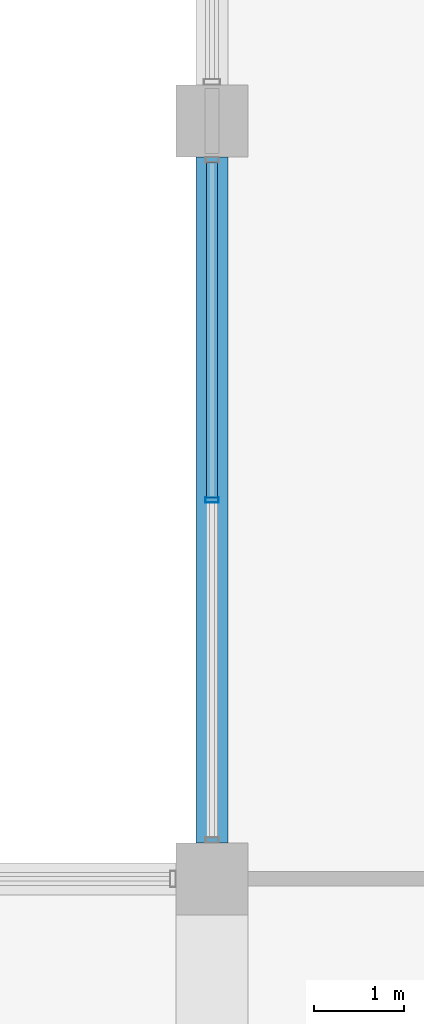
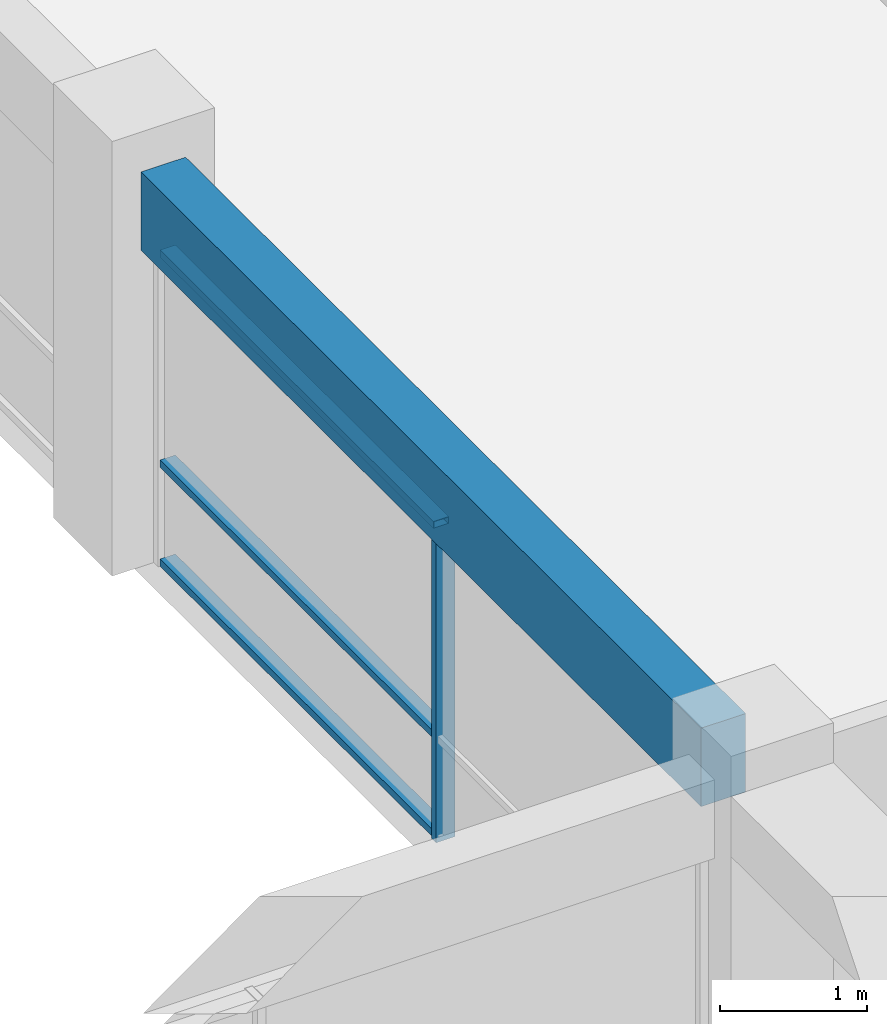
# One storey, part 14 of 50: 4 members, 1 beam, 1 element without a shape of its own.
"""IFC4 building model written with IfcOpenShell, lengths in metres."""

from ifc_helpers import new_model, si_unit, direction, frame, origin, origin_2d, place, context, subcontext, project, spatial, rectangle, hollow_rectangle, extrude, material, material_profile, profile_set, type_object, element, aggregate, save


model = new_model("IFC4")

# Units and contexts
model_context = context("Model", 3, precision=1e-05, world=origin(), true_north=direction((0.0, 1.0)))
body_context = subcontext(model_context, "Body", "Model", "MODEL_VIEW")
ifc_project = project(units=[si_unit("LENGTHUNIT", "METRE"), si_unit("AREAUNIT", "SQUARE_METRE"), si_unit("VOLUMEUNIT", "CUBIC_METRE"), si_unit("PLANEANGLEUNIT", "RADIAN"), si_unit("MASSUNIT", "GRAM", prefix="KILO"), si_unit("THERMODYNAMICTEMPERATUREUNIT", "KELVIN"), si_unit("POWERUNIT", "WATT")], contexts=[model_context])

# Site, building, storey
site_placement = place(None, origin())
site = spatial("IfcSite", under=ifc_project, at=site_placement, CompositionType="ELEMENT")
building_placement = place(site_placement, origin())
building = spatial("IfcBuilding", under=site, at=building_placement, Name="Srebrne Nadtorze General Hospital", CompositionType="ELEMENT")
storey_placement = place(building_placement, frame((0.0, 0.0, 14.39990234375)))
storey = spatial("IfcBuildingStorey", under=building, at=storey_placement, Name="L03", CompositionType="ELEMENT", Elevation=14.39990234375)

# Curtain wall, members
ifc_material_1 = material(Name="Anodised Aluminium", Category="aluminium")
curtain_wall_type = type_object("IfcCurtainWallType", Name="Unitised curtain wall 7600x2620", PredefinedType="NOTDEFINED", material=ifc_material_1)
curtain_wall_placement = place(storey_placement, origin())
curtain_wall = element("IfcCurtainWall", 1, at=curtain_wall_placement, inside=storey, type_object=curtain_wall_type, Name="Curtain wall CW-100", PredefinedType="NOTDEFINED")
ifc_material_2 = material(Name="Anodised Aluminium", Category="aluminium")
ifc_material_profile_1 = material_profile(ifc_material_2, hollow_rectangle(XDim=0.06005859375, YDim=0.14990234375, WallThickness=0.00390625, at=origin_2d()), Name="AL-MUL-60x150")
ifc_profile_set_1 = profile_set([ifc_material_profile_1], Name="Anodised Aluminium")
member_type_1 = type_object("IfcMemberType", Name="Curtain mullion 60x150", PredefinedType="MULLION", material=ifc_profile_set_1)
member_1_placement = place(storey_placement, frame((132.60009765625, 12.60009765625, 0.0), z_axis=(0.0, 0.0, 1.0), x_axis=(0.0, 1.0, 0.0)))
member_1 = element("IfcMember", 2, at=member_1_placement, type_object=member_type_1, Name="CW-100 mullion 2", PredefinedType="MULLION", context=body_context, shape_type="SweptSolid", body=[
    extrude(hollow_rectangle(XDim=0.06005859375, YDim=0.14990234375, WallThickness=0.00390625, at=origin_2d()), origin(), (0.0, 0.0, 1.0), 2.6201171875),
])
ifc_material_3 = material(Name="Anodised Aluminium", Category="aluminium")
ifc_material_profile_2 = material_profile(ifc_material_3, hollow_rectangle(XDim=0.06005859375, YDim=0.1201171875, WallThickness=0.00390625, at=origin_2d()), Name="AL-TRN-60x120")
ifc_profile_set_2 = profile_set([ifc_material_profile_2], Name="Anodised Aluminium")
member_type_2 = type_object("IfcMemberType", Name="Curtain transom 60x120", PredefinedType="USERDEFINED", material=ifc_profile_set_2)
member_2_placement = place(storey_placement, frame((132.60009765625, 12.6298828125, 0.030029296875), z_axis=(0.0, 1.0, 0.0), x_axis=(0.0, 0.0, 1.0)))
member_2 = element("IfcMember", 3, at=member_2_placement, type_object=member_type_2, Name="CW-100 transom 2.1", ObjectType="TRANSOM", PredefinedType="USERDEFINED", context=body_context, shape_type="SweptSolid", body=[
    extrude(hollow_rectangle(XDim=0.06005859375, YDim=0.1201171875, WallThickness=0.00390625, at=origin_2d()), origin(), (0.0, 0.0, 1.0), 3.710205078125),
])
member_3_placement = place(storey_placement, frame((132.60009765625, 12.6298828125, 0.85009765625), z_axis=(0.0, 1.0, 0.0), x_axis=(0.0, 0.0, 1.0)))
member_3 = element("IfcMember", 4, at=member_3_placement, type_object=member_type_2, Name="CW-100 transom 2.2", ObjectType="TRANSOM", PredefinedType="USERDEFINED", context=body_context, shape_type="SweptSolid", body=[
    extrude(hollow_rectangle(XDim=0.06005859375, YDim=0.1201171875, WallThickness=0.00390625, at=origin_2d()), origin(), (0.0, 0.0, 1.0), 3.710205078125),
])
member_4_placement = place(storey_placement, frame((132.60009765625, 12.6298828125, 2.590087890625), z_axis=(0.0, 1.0, 0.0), x_axis=(0.0, 0.0, 1.0)))
member_4 = element("IfcMember", 5, at=member_4_placement, type_object=member_type_2, Name="CW-100 transom 2.3", ObjectType="TRANSOM", PredefinedType="USERDEFINED", context=body_context, shape_type="SweptSolid", body=[
    extrude(hollow_rectangle(XDim=0.06005859375, YDim=0.1201171875, WallThickness=0.00390625, at=origin_2d()), origin(), (0.0, 0.0, 1.0), 3.710205078125),
])
aggregate(curtain_wall, [member_1, member_2, member_3, member_4])

# Beam
ifc_material_4 = material(Name="Concrete C35/45", Category="concrete")
ifc_material_profile_3 = material_profile(ifc_material_4, rectangle(XDim=0.35009765625, YDim=0.64990234375, at=origin_2d()), Name="RC-BM-350x650")
ifc_profile_set_3 = profile_set([ifc_material_profile_3], Name="Concrete C35/45")
beam_type = type_object("IfcBeamType", Name="Edge beam RC 350x650", PredefinedType="BEAM", material=ifc_profile_set_3)
beam_placement = place(storey_placement, frame((132.60009765625, 8.800048828125, 2.945068359375), z_axis=(0.0, 1.0, 0.0), x_axis=(-1.0, 0.0, 0.0)))
element("IfcBeam", 6, at=beam_placement, inside=storey, type_object=beam_type, Name="Beam BM-L03-Y-0838", PredefinedType="BEAM", context=body_context, shape_type="SweptSolid", body=[
    extrude(rectangle(XDim=0.35009765625, YDim=0.64990234375, at=origin_2d()), origin(), (0.0, 0.0, 1.0), 7.599853515625),
])

save(model, "model.ifc")
